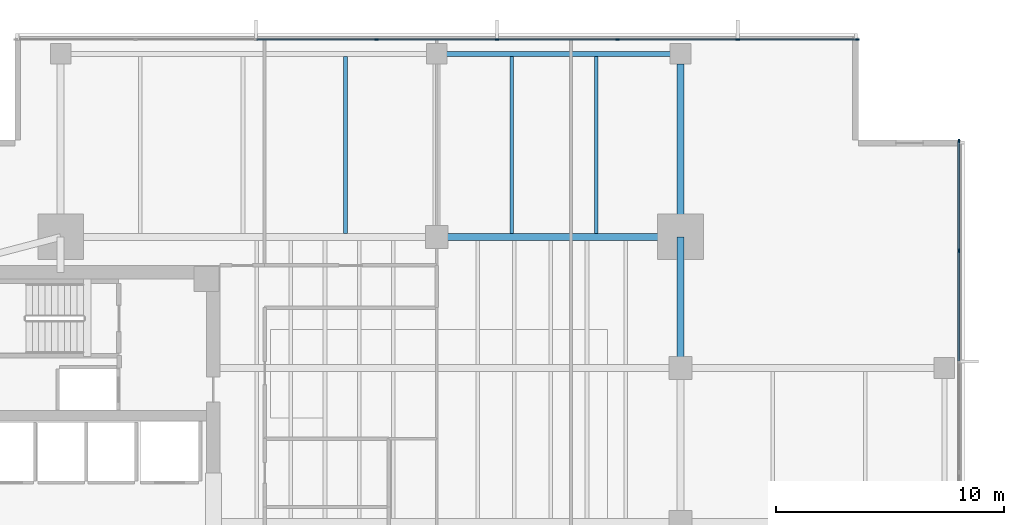
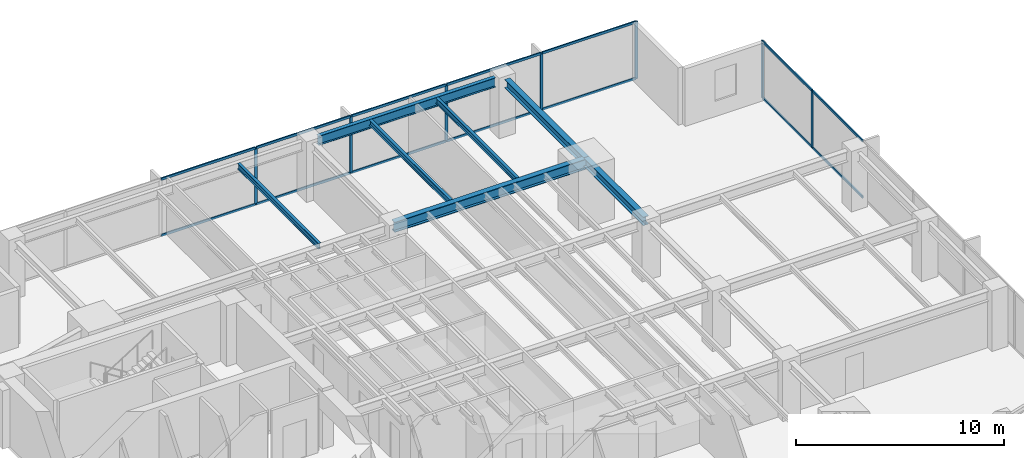
# One storey, part 6 of 14: 21 members, 7 beams, 2 elements without a shape of their own.
"""IFC4 building model written with IfcOpenShell, lengths in metres."""

from ifc_helpers import new_model, si_unit, direction, frame, origin, origin_2d, place, context, subcontext, project, spatial, rectangle, i_section, extrude, material, layer, layer_set, material_profile, profile_set, type_object, element, aggregate, save


model = new_model("IFC4")

# Units and contexts
model_context = context("Model", 3, precision=1e-05, world=origin(), true_north=direction((0.0, 1.0)))
body_context = subcontext(model_context, "Body", "Model", "MODEL_VIEW")
ifc_project = project(units=[si_unit("LENGTHUNIT", "METRE"), si_unit("AREAUNIT", "SQUARE_METRE"), si_unit("VOLUMEUNIT", "CUBIC_METRE"), si_unit("PLANEANGLEUNIT", "RADIAN"), si_unit("MASSUNIT", "GRAM", prefix="KILO")], contexts=[model_context])

# Site, building, storey
site_placement = place(None, origin())
site = spatial("IfcSite", under=ifc_project, at=site_placement, CompositionType="ELEMENT")
building_placement = place(site_placement, origin())
building = spatial("IfcBuilding", under=site, at=building_placement, Name="Kinhvarn Gate Tower", CompositionType="ELEMENT")
storey_placement = place(building_placement, frame((0.0, 0.0, 144.85009765625)))
storey = spatial("IfcBuildingStorey", under=building, at=storey_placement, Name="L38", CompositionType="ELEMENT", Elevation=144.85009765625)

# Curtain wall, members
ifc_material_1 = material(Name="Anodised aluminium AW-6063", Category="aluminium")
ifc_layer = layer(ifc_material_1, 0.179931640625)
ifc_layer_set = layer_set([ifc_layer], Name="Anodised aluminium AW-6063")
curtain_wall_type = type_object("IfcCurtainWallType", Name="CW-SYS-3", PredefinedType="NOTDEFINED", material=ifc_layer_set)
curtain_wall_1_placement = place(storey_placement, origin())
curtain_wall_1 = element("IfcCurtainWall", 1, at=curtain_wall_1_placement, inside=storey, type_object=curtain_wall_type, Name="Curtain Wall CW3 (L38)", PredefinedType="NOTDEFINED")
ifc_material_profile_1 = material_profile(ifc_material_1, rectangle(XDim=0.06494140625, YDim=0.159912109375, at=origin_2d()), Name="ALU 65x160")
ifc_profile_set_1 = profile_set([ifc_material_profile_1], Name="Anodised aluminium AW-6063")
member_type_1 = type_object("IfcMemberType", Name="CW-MUL-160", PredefinedType="MULLION", material=ifc_profile_set_1)
member_1_placement = place(storey_placement, frame((45.967529296875, 46.409912109375, 0.0), z_axis=(0.0, 0.0, 1.0), x_axis=(0.0, -1.0, 0.0)))
member_1 = element("IfcMember", 2, at=member_1_placement, type_object=member_type_1, Name="CW3 mullion 1", PredefinedType="MULLION", context=body_context, shape_type="SweptSolid", body=[
    extrude(rectangle(XDim=0.06494140625, YDim=0.159912109375, at=origin_2d()), origin(), (0.0, 0.0, 1.0), 3.369873046875),
])
member_2_placement = place(storey_placement, frame((40.71435546875, 46.409912109375, 0.0), z_axis=(0.0, 0.0, 1.0), x_axis=(0.0, -1.0, 0.0)))
member_2 = element("IfcMember", 3, at=member_2_placement, type_object=member_type_1, Name="CW3 mullion 2", PredefinedType="MULLION", context=body_context, shape_type="SweptSolid", body=[
    extrude(rectangle(XDim=0.06494140625, YDim=0.159912109375, at=origin_2d()), origin(), (0.0, 0.0, 1.0), 3.369873046875),
])
member_3_placement = place(storey_placement, frame((35.428466796875, 46.409912109375, 0.0), z_axis=(0.0, 0.0, 1.0), x_axis=(0.0, -1.0, 0.0)))
member_3 = element("IfcMember", 4, at=member_3_placement, type_object=member_type_1, Name="CW3 mullion 3", PredefinedType="MULLION", context=body_context, shape_type="SweptSolid", body=[
    extrude(rectangle(XDim=0.06494140625, YDim=0.159912109375, at=origin_2d()), origin(), (0.0, 0.0, 1.0), 3.369873046875),
])
member_4_placement = place(storey_placement, frame((30.142822265625, 46.409912109375, 0.0), z_axis=(0.0, 0.0, 1.0), x_axis=(0.0, -1.0, 0.0)))
member_4 = element("IfcMember", 5, at=member_4_placement, type_object=member_type_1, Name="CW3 mullion 4", PredefinedType="MULLION", context=body_context, shape_type="SweptSolid", body=[
    extrude(rectangle(XDim=0.06494140625, YDim=0.159912109375, at=origin_2d()), origin(), (0.0, 0.0, 1.0), 3.369873046875),
])
member_5_placement = place(storey_placement, frame((24.857177734375, 46.409912109375, 0.0), z_axis=(0.0, 0.0, 1.0), x_axis=(0.0, -1.0, 0.0)))
member_5 = element("IfcMember", 6, at=member_5_placement, type_object=member_type_1, Name="CW3 mullion 5", PredefinedType="MULLION", context=body_context, shape_type="SweptSolid", body=[
    extrude(rectangle(XDim=0.06494140625, YDim=0.159912109375, at=origin_2d()), origin(), (0.0, 0.0, 1.0), 3.369873046875),
])

curtain_wall_2_placement = place(storey_placement, origin())
curtain_wall_2 = element("IfcCurtainWall", 7, at=curtain_wall_2_placement, inside=storey, type_object=curtain_wall_type, Name="Curtain Wall CW3 (L38)", PredefinedType="NOTDEFINED")
member_6_placement = place(storey_placement, frame((50.409912109375, 37.142822265625, 0.0), z_axis=(0.0, 0.0, 1.0), x_axis=(-1.0, 0.0, 0.0)))
member_6 = element("IfcMember", 8, at=member_6_placement, type_object=member_type_1, Name="CW3 mullion 7", PredefinedType="MULLION", context=body_context, shape_type="SweptSolid", body=[
    extrude(rectangle(XDim=0.06494140625, YDim=0.159912109375, at=origin_2d()), origin(), (0.0, 0.0, 1.0), 3.369873046875),
])
member_7_placement = place(storey_placement, frame((50.409912109375, 41.967529296875, 0.0), z_axis=(0.0, 0.0, 1.0), x_axis=(-1.0, 0.0, 0.0)))
member_7 = element("IfcMember", 9, at=member_7_placement, type_object=member_type_1, Name="CW3 mullion 8", PredefinedType="MULLION", context=body_context, shape_type="SweptSolid", body=[
    extrude(rectangle(XDim=0.06494140625, YDim=0.159912109375, at=origin_2d()), origin(), (0.0, 0.0, 1.0), 3.369873046875),
])

# Member
ifc_material_profile_2 = material_profile(ifc_material_1, rectangle(XDim=0.070068359375, YDim=0.139892578125, at=origin_2d()), Name="ALU 70x140")
ifc_profile_set_2 = profile_set([ifc_material_profile_2], Name="Anodised aluminium AW-6063")
member_type_2 = type_object("IfcMemberType", Name="CW-TRN-140", PredefinedType="USERDEFINED", material=ifc_profile_set_2)
member_8_placement = place(storey_placement, frame((45.93505859375, 46.409912109375, 0.034912109375), z_axis=(-1.0, 0.0, 0.0), x_axis=(0.0, -1.0, 0.0)))
member_8 = element("IfcMember", 10, at=member_8_placement, type_object=member_type_2, Name="CW3 transom 1.1", ObjectType="TRANSOM", PredefinedType="USERDEFINED", context=body_context, shape_type="SweptSolid", body=[
    extrude(rectangle(XDim=0.070068359375, YDim=0.139892578125, at=origin_2d()), origin(), (0.0, 0.0, 1.0), 5.188232421875),
])

member_9_placement = place(storey_placement, frame((45.93505859375, 46.409912109375, 3.3349609375), z_axis=(-1.0, 0.0, 0.0), x_axis=(0.0, -1.0, 0.0)))
member_9 = element("IfcMember", 11, at=member_9_placement, type_object=member_type_2, Name="CW3 transom 1.2", ObjectType="TRANSOM", PredefinedType="USERDEFINED", context=body_context, shape_type="SweptSolid", body=[
    extrude(rectangle(XDim=0.070068359375, YDim=0.139892578125, at=origin_2d()), origin(), (0.0, 0.0, 1.0), 5.188232421875),
])

member_10_placement = place(storey_placement, frame((40.681884765625, 46.409912109375, 0.034912109375), z_axis=(-1.0, 0.0, 0.0), x_axis=(0.0, -1.0, 0.0)))
member_10 = element("IfcMember", 12, at=member_10_placement, type_object=member_type_2, Name="CW3 transom 2.1", ObjectType="TRANSOM", PredefinedType="USERDEFINED", context=body_context, shape_type="SweptSolid", body=[
    extrude(rectangle(XDim=0.070068359375, YDim=0.139892578125, at=origin_2d()), origin(), (0.0, 0.0, 1.0), 5.220703125),
])

member_11_placement = place(storey_placement, frame((40.681884765625, 46.409912109375, 3.3349609375), z_axis=(-1.0, 0.0, 0.0), x_axis=(0.0, -1.0, 0.0)))
member_11 = element("IfcMember", 13, at=member_11_placement, type_object=member_type_2, Name="CW3 transom 2.2", ObjectType="TRANSOM", PredefinedType="USERDEFINED", context=body_context, shape_type="SweptSolid", body=[
    extrude(rectangle(XDim=0.070068359375, YDim=0.139892578125, at=origin_2d()), origin(), (0.0, 0.0, 1.0), 5.220703125),
])

member_12_placement = place(storey_placement, frame((35.39599609375, 46.409912109375, 0.034912109375), z_axis=(-1.0, 0.0, 0.0), x_axis=(0.0, -1.0, 0.0)))
member_12 = element("IfcMember", 14, at=member_12_placement, type_object=member_type_2, Name="CW3 transom 3.1", ObjectType="TRANSOM", PredefinedType="USERDEFINED", context=body_context, shape_type="SweptSolid", body=[
    extrude(rectangle(XDim=0.070068359375, YDim=0.139892578125, at=origin_2d()), origin(), (0.0, 0.0, 1.0), 5.220703125),
])

member_13_placement = place(storey_placement, frame((35.39599609375, 46.409912109375, 3.3349609375), z_axis=(-1.0, 0.0, 0.0), x_axis=(0.0, -1.0, 0.0)))
member_13 = element("IfcMember", 15, at=member_13_placement, type_object=member_type_2, Name="CW3 transom 3.2", ObjectType="TRANSOM", PredefinedType="USERDEFINED", context=body_context, shape_type="SweptSolid", body=[
    extrude(rectangle(XDim=0.070068359375, YDim=0.139892578125, at=origin_2d()), origin(), (0.0, 0.0, 1.0), 5.220703125),
])

member_14_placement = place(storey_placement, frame((30.1103515625, 46.409912109375, 0.034912109375), z_axis=(-1.0, 0.0, 0.0), x_axis=(0.0, -1.0, 0.0)))
member_14 = element("IfcMember", 16, at=member_14_placement, type_object=member_type_2, Name="CW3 transom 4.1", ObjectType="TRANSOM", PredefinedType="USERDEFINED", context=body_context, shape_type="SweptSolid", body=[
    extrude(rectangle(XDim=0.070068359375, YDim=0.139892578125, at=origin_2d()), origin(), (0.0, 0.0, 1.0), 5.220703125),
])

member_15_placement = place(storey_placement, frame((30.1103515625, 46.409912109375, 3.3349609375), z_axis=(-1.0, 0.0, 0.0), x_axis=(0.0, -1.0, 0.0)))
member_15 = element("IfcMember", 17, at=member_15_placement, type_object=member_type_2, Name="CW3 transom 4.2", ObjectType="TRANSOM", PredefinedType="USERDEFINED", context=body_context, shape_type="SweptSolid", body=[
    extrude(rectangle(XDim=0.070068359375, YDim=0.139892578125, at=origin_2d()), origin(), (0.0, 0.0, 1.0), 5.220703125),
])

member_16_placement = place(storey_placement, frame((24.82470703125, 46.409912109375, 0.034912109375), z_axis=(-1.0, 0.0, 0.0), x_axis=(0.0, -1.0, 0.0)))
member_16 = element("IfcMember", 18, at=member_16_placement, type_object=member_type_2, Name="CW3 transom 5.1", ObjectType="TRANSOM", PredefinedType="USERDEFINED", context=body_context, shape_type="SweptSolid", body=[
    extrude(rectangle(XDim=0.070068359375, YDim=0.139892578125, at=origin_2d()), origin(), (0.0, 0.0, 1.0), 5.220703125),
])

member_17_placement = place(storey_placement, frame((24.82470703125, 46.409912109375, 3.3349609375), z_axis=(-1.0, 0.0, 0.0), x_axis=(0.0, -1.0, 0.0)))
member_17 = element("IfcMember", 19, at=member_17_placement, type_object=member_type_2, Name="CW3 transom 5.2", ObjectType="TRANSOM", PredefinedType="USERDEFINED", context=body_context, shape_type="SweptSolid", body=[
    extrude(rectangle(XDim=0.070068359375, YDim=0.139892578125, at=origin_2d()), origin(), (0.0, 0.0, 1.0), 5.220703125),
])

aggregate(curtain_wall_1, [member_1, member_2, member_3, member_4, member_5, member_8, member_9, member_10, member_11, member_12, member_13, member_14, member_15, member_16, member_17])

member_18_placement = place(storey_placement, frame((50.409912109375, 32.318115234375, 0.034912109375), z_axis=(0.0, 1.0, 0.0), x_axis=(-1.0, 0.0, 0.0)))
member_18 = element("IfcMember", 20, at=member_18_placement, type_object=member_type_2, Name="CW3 transom 6.1", ObjectType="TRANSOM", PredefinedType="USERDEFINED", context=body_context, shape_type="SweptSolid", body=[
    extrude(rectangle(XDim=0.070068359375, YDim=0.139892578125, at=origin_2d()), origin(), (0.0, 0.0, 1.0), 4.792236328125),
])

member_19_placement = place(storey_placement, frame((50.409912109375, 32.318115234375, 3.3349609375), z_axis=(0.0, 1.0, 0.0), x_axis=(-1.0, 0.0, 0.0)))
member_19 = element("IfcMember", 21, at=member_19_placement, type_object=member_type_2, Name="CW3 transom 6.2", ObjectType="TRANSOM", PredefinedType="USERDEFINED", context=body_context, shape_type="SweptSolid", body=[
    extrude(rectangle(XDim=0.070068359375, YDim=0.139892578125, at=origin_2d()), origin(), (0.0, 0.0, 1.0), 4.792236328125),
])

member_20_placement = place(storey_placement, frame((50.409912109375, 37.17529296875, 0.034912109375), z_axis=(0.0, 1.0, 0.0), x_axis=(-1.0, 0.0, 0.0)))
member_20 = element("IfcMember", 22, at=member_20_placement, type_object=member_type_2, Name="CW3 transom 7.1", ObjectType="TRANSOM", PredefinedType="USERDEFINED", context=body_context, shape_type="SweptSolid", body=[
    extrude(rectangle(XDim=0.070068359375, YDim=0.139892578125, at=origin_2d()), origin(), (0.0, 0.0, 1.0), 4.759765625),
])

member_21_placement = place(storey_placement, frame((50.409912109375, 37.17529296875, 3.3349609375), z_axis=(0.0, 1.0, 0.0), x_axis=(-1.0, 0.0, 0.0)))
member_21 = element("IfcMember", 23, at=member_21_placement, type_object=member_type_2, Name="CW3 transom 7.2", ObjectType="TRANSOM", PredefinedType="USERDEFINED", context=body_context, shape_type="SweptSolid", body=[
    extrude(rectangle(XDim=0.070068359375, YDim=0.139892578125, at=origin_2d()), origin(), (0.0, 0.0, 1.0), 4.759765625),
])

aggregate(curtain_wall_2, [member_6, member_7, member_18, member_19, member_20, member_21])

# Beams
ifc_material_2 = material(Name="Steel S355", Category="steel")
ifc_material_profile_3 = material_profile(ifc_material_2, i_section(OverallWidth=0.300048828125, OverallDepth=0.5, WebThickness=0.014404296875, FlangeThickness=0.028076171875, at=origin_2d()), Name="HEB 500")
ifc_profile_set_3 = profile_set([ifc_material_profile_3], Name="Steel S355")
beam_type_1 = type_object("IfcBeamType", Name="STL-HEB500", PredefinedType="BEAM", material=ifc_profile_set_3)
beam_1_placement = place(storey_placement, frame((38.199951171875, 37.75, 3.119873046875), z_axis=(0.0, 1.0, 0.0), x_axis=(-1.0, 0.0, 0.0)))
element("IfcBeam", 24, at=beam_1_placement, inside=storey, type_object=beam_type_1, Name="Floor Beam PG-14 (L38 MCE-N)", PredefinedType="BEAM", context=body_context, shape_type="SweptSolid", body=[
    extrude(i_section(OverallWidth=0.300048828125, OverallDepth=0.5, WebThickness=0.014404296875, FlangeThickness=0.028076171875, at=origin_2d()), origin(), (0.0, 0.0, 1.0), 7.594970703125),
])
beam_2_placement = place(storey_placement, frame((38.199951171875, 32.0, 3.119873046875), z_axis=(0.0, 1.0, 0.0), x_axis=(-1.0, 0.0, 0.0)))
element("IfcBeam", 25, at=beam_2_placement, inside=storey, type_object=beam_type_1, Name="Floor Beam PG-14 (L38 MG-E-32)", PredefinedType="BEAM", context=body_context, shape_type="SweptSolid", body=[
    extrude(i_section(OverallWidth=0.300048828125, OverallDepth=0.5, WebThickness=0.014404296875, FlangeThickness=0.028076171875, at=origin_2d()), origin(), (0.0, 0.0, 1.0), 5.75),
])
ifc_material_profile_4 = material_profile(ifc_material_2, i_section(OverallWidth=0.300048828125, OverallDepth=0.60009765625, WebThickness=0.015380859375, FlangeThickness=0.030029296875, at=origin_2d()), Name="HEB 600")
ifc_profile_set_4 = profile_set([ifc_material_profile_4], Name="Steel S355")
beam_type_2 = type_object("IfcBeamType", Name="STL-HEB600", PredefinedType="BEAM", material=ifc_profile_set_4)
beam_3_placement = place(storey_placement, frame((27.5, 37.75, 3.06982421875), z_axis=(1.0, 0.0, 0.0), x_axis=(0.0, 1.0, 0.0)))
element("IfcBeam", 26, at=beam_3_placement, inside=storey, type_object=beam_type_2, Name="Floor Beam PG-16 (L38 MG-N2)", PredefinedType="BEAM", context=body_context, shape_type="SweptSolid", body=[
    extrude(i_section(OverallWidth=0.300048828125, OverallDepth=0.60009765625, WebThickness=0.015380859375, FlangeThickness=0.030029296875, at=origin_2d()), origin(), (0.0, 0.0, 1.0), 10.699951171875),
])
ifc_material_profile_5 = material_profile(ifc_material_2, i_section(OverallWidth=0.159912109375, OverallDepth=0.330078125, WebThickness=0.007568359375, FlangeThickness=0.011474609375, at=origin_2d()), Name="IPE 330")
ifc_profile_set_5 = profile_set([ifc_material_profile_5], Name="Steel S355")
beam_type_3 = type_object("IfcBeamType", Name="STL-IPE330", PredefinedType="JOIST", material=ifc_profile_set_5)
for number, where, z_axis, x_axis, name in (
    (27, (23.5, 37.89990234375, 3.204833984375), (0.0, 1.0, 0.0), (-1.0, 0.0, 0.0), "Floor Joist SB-03 (L38 JN-X235)"),
    (28, (30.800048828125, 37.89990234375, 3.204833984375), (0.0, 1.0, 0.0), (-1.0, 0.0, 0.0), "Floor Joist SB-03 (L38 JN-X308)"),
    (29, (34.5, 37.89990234375, 3.204833984375), (0.0, 1.0, 0.0), (-1.0, 0.0, 0.0), "Floor Joist SB-03 (L38 JN-X345)"),
):
    element("IfcBeam", number, at=place(storey_placement, frame(where, z_axis=z_axis, x_axis=x_axis)), inside=storey, type_object=beam_type_3, Name=name, PredefinedType="JOIST", context=body_context, shape_type="SweptSolid", body=[
        extrude(i_section(OverallWidth=0.159912109375, OverallDepth=0.330078125, WebThickness=0.007568359375, FlangeThickness=0.011474609375, at=origin_2d()), origin(), (0.0, 0.0, 1.0), 7.775146484375),
    ])
ifc_material_profile_6 = material_profile(ifc_material_2, i_section(OverallWidth=0.2099609375, OverallDepth=0.550048828125, WebThickness=0.010986328125, FlangeThickness=0.01708984375, at=origin_2d()), Name="IPE 550")
ifc_profile_set_6 = profile_set([ifc_material_profile_6], Name="Steel S355")
beam_type_4 = type_object("IfcBeamType", Name="STL-IPE550", PredefinedType="SPANDREL", material=ifc_profile_set_6)
beam_4_placement = place(storey_placement, frame((27.93505859375, 45.780029296875, 3.094970703125), z_axis=(1.0, 0.0, 0.0), x_axis=(0.0, 1.0, 0.0)))
element("IfcBeam", 30, at=beam_4_placement, inside=storey, type_object=beam_type_4, Name="Floor Spandrel SB-08 (L38 SP-N2)", PredefinedType="SPANDREL", context=body_context, shape_type="SweptSolid", body=[
    extrude(i_section(OverallWidth=0.2099609375, OverallDepth=0.550048828125, WebThickness=0.010986328125, FlangeThickness=0.01708984375, at=origin_2d()), origin(), (0.0, 0.0, 1.0), 9.829833984375),
])

save(model, "model.ifc")
